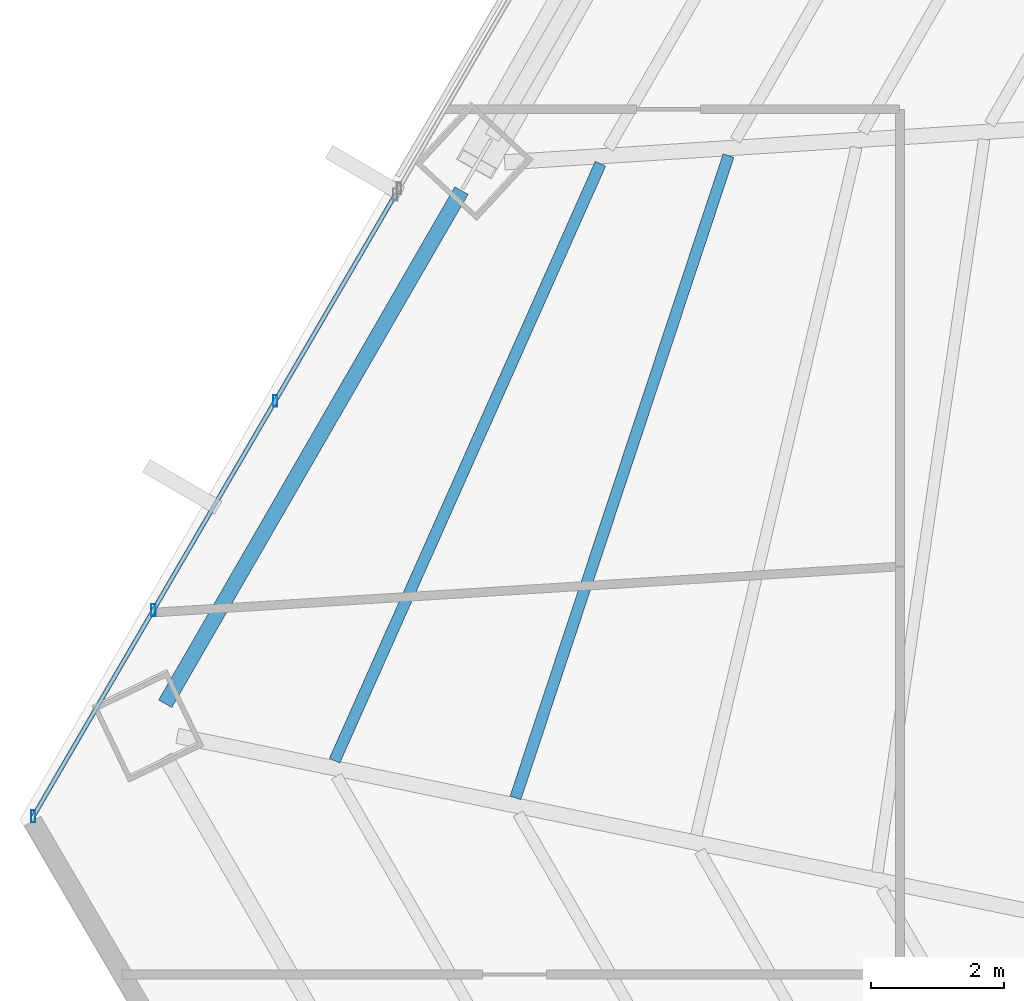
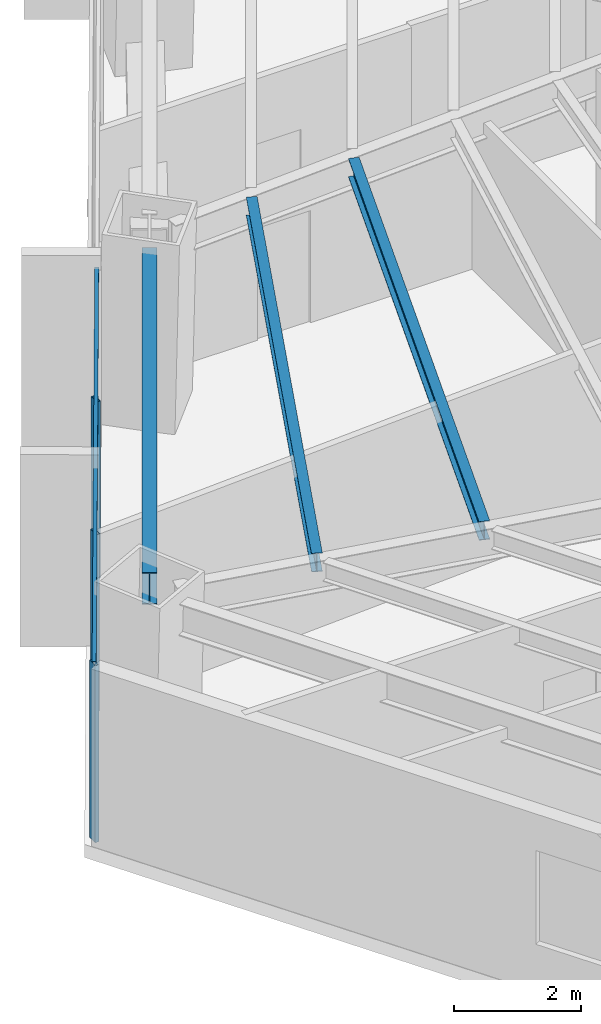
# One storey, part 8 of 29: 5 members, 3 beams, 1 element without a shape of its own.
"""IFC4 building model written with IfcOpenShell, lengths in metres."""

from ifc_helpers import new_model, si_unit, direction, frame, origin, origin_2d, place, context, subcontext, project, spatial, hollow_rectangle, i_section, extrude, source, transform, mapped, material, material_profile, profile_set, type_object, type_shapes, element, aggregate, save


model = new_model("IFC4")

# Units and contexts
model_context = context("Model", 3, precision=1e-05, world=origin(), true_north=direction((0.0, 1.0)))
body_context = subcontext(model_context, "Body", "Model", "MODEL_VIEW")
ifc_project = project(units=[si_unit("LENGTHUNIT", "METRE"), si_unit("AREAUNIT", "SQUARE_METRE"), si_unit("VOLUMEUNIT", "CUBIC_METRE"), si_unit("PLANEANGLEUNIT", "RADIAN"), si_unit("MASSUNIT", "GRAM", prefix="KILO")], contexts=[model_context])

# Site, building, storey
site_placement = place(None, origin())
site = spatial("IfcSite", under=ifc_project, at=site_placement, CompositionType="ELEMENT")
building_placement = place(site_placement, origin())
building = spatial("IfcBuilding", under=site, at=building_placement, Name="Caelisora Broadcast Tower", CompositionType="ELEMENT")
storey_placement = place(building_placement, frame((0.0, 0.0, 31.25)))
storey = spatial("IfcBuildingStorey", under=building, at=storey_placement, Name="L07", CompositionType="ELEMENT", Elevation=31.25)

# Beams
ifc_material_1 = material(Name="Steel Grade 350 (AS/NZS 3679.1)", Category="steel")
ifc_material_profile_1 = material_profile(ifc_material_1, i_section(OverallWidth=0.22900390625, OverallDepth=0.611572265625, WebThickness=0.011962890625, FlangeThickness=0.01953125, at=origin_2d()), Name="Steel Grade 350 (AS/NZS 3679.1)")
ifc_profile_set_1 = profile_set([ifc_material_profile_1], Name="Steel Grade 350 (AS/NZS 3679.1)")
beam_type_1 = type_object("IfcBeamType", Name="PG03", PredefinedType="BEAM", material=ifc_profile_set_1)
shared_shape_1 = source(origin(), body_context, "Body", "SweptSolid", [
    extrude(i_section(OverallWidth=0.22900390625, OverallDepth=0.611572265625, WebThickness=0.011962890625, FlangeThickness=0.01953125, at=origin_2d()), origin(), (0.0, 0.0, 1.0), 8.900390625),
])
type_shapes(beam_type_1, [shared_shape_1])
beam_1_placement = place(storey_placement, frame((18.8125, 28.876953125, 3.09423828125), z_axis=(-0.49999788721, -0.866026623601, 0.0), x_axis=(0.866026623601, -0.49999788721, 0.0)))
element("IfcBeam", 1, at=beam_1_placement, inside=storey, type_object=beam_type_1, Name="L07 beam PG03", PredefinedType="BEAM", context=body_context, shape_type="MappedRepresentation", body=[
    mapped(shared_shape_1, transform((0.0, 0.0, 0.0), scale=1.0)),
])
ifc_material_profile_2 = material_profile(ifc_material_1, i_section(OverallWidth=0.172119140625, OverallDepth=0.358642578125, WebThickness=0.008056640625, FlangeThickness=0.012939453125, at=origin_2d()), Name="Steel Grade 350 (AS/NZS 3679.1)")
ifc_profile_set_2 = profile_set([ifc_material_profile_2], Name="Steel Grade 350 (AS/NZS 3679.1)")
beam_type_2 = type_object("IfcBeamType", Name="SB02", PredefinedType="JOIST", material=ifc_profile_set_2)
shared_shape_2 = source(origin(), body_context, "Body", "SweptSolid", [
    extrude(i_section(OverallWidth=0.172119140625, OverallDepth=0.358642578125, WebThickness=0.008056640625, FlangeThickness=0.012939453125, at=origin_2d()), origin(), (0.0, 0.0, 1.0), 10.166748046875),
])
beam_2_placement = place(storey_placement, frame((22.823974609375, 29.403076171875, 3.220703125), z_axis=(-0.314815428937, -0.949152909548, 0.0), x_axis=(0.949152909548, -0.314815428937, 0.0)))
element("IfcBeam", 2, at=beam_2_placement, inside=storey, type_object=beam_type_2, Name="L07 beam SB02", PredefinedType="JOIST", context=body_context, shape_type="MappedRepresentation", body=[
    mapped(shared_shape_2, transform((0.0, 0.0, 0.0), scale=1.0)),
])
shared_shape_3 = source(origin(), body_context, "Body", "SweptSolid", [
    extrude(i_section(OverallWidth=0.172119140625, OverallDepth=0.358642578125, WebThickness=0.008056640625, FlangeThickness=0.012939453125, at=origin_2d()), origin(), (0.0, 0.0, 1.0), 9.81787109375),
])
type_shapes(beam_type_2, [shared_shape_2, shared_shape_3])
beam_3_placement = place(storey_placement, frame((20.90087890625, 29.28125, 3.220703125), z_axis=(-0.406851285929, -0.913494406736, 0.0), x_axis=(0.913494406736, -0.406851285929, 0.0)))
element("IfcBeam", 3, at=beam_3_placement, inside=storey, type_object=beam_type_2, Name="L07 beam SB02", PredefinedType="JOIST", context=body_context, shape_type="MappedRepresentation", body=[
    mapped(shared_shape_3, transform((0.0, 0.0, 0.0), scale=1.0)),
])

# Curtain wall, members
ifc_material_2 = material(Name="Unitised Aluminium and Low-E Glass Curtain Wall", Category="glass")
curtain_wall_type = type_object("IfcCurtainWallType", Name="CW-Z1", PredefinedType="NOTDEFINED", material=ifc_material_2)
curtain_wall_placement = place(storey_placement, origin())
curtain_wall = element("IfcCurtainWall", 4, at=curtain_wall_placement, inside=storey, type_object=curtain_wall_type, Name="L07 curtain wall CW-Z1", PredefinedType="NOTDEFINED")
ifc_material_3 = material(Name="Aluminium 6063-T6 Anodised Terracotta Bronze", Category="aluminium")
ifc_material_profile_3 = material_profile(ifc_material_3, hollow_rectangle(XDim=0.06494140625, YDim=0.179931640625, WallThickness=0.00341796875, at=origin_2d()), Name="Aluminium 6063-T6 Anodised Terracotta Bronze")
ifc_profile_set_3 = profile_set([ifc_material_profile_3], Name="Aluminium 6063-T6 Anodised Terracotta Bronze")
member_type_1 = type_object("IfcMemberType", Name="CWM-02", PredefinedType="MULLION", material=ifc_profile_set_3)
shared_shape_4 = source(origin(), body_context, "Body", "SweptSolid", [
    extrude(hollow_rectangle(XDim=0.06494140625, YDim=0.179931640625, WallThickness=0.00341796875, at=origin_2d()), origin(), (0.0, 0.0, 1.0), 3.39990234375),
])
type_shapes(member_type_1, [shared_shape_4])
member_1_placement = place(storey_placement, frame((12.380126953125, 19.47509765625, 0.0), z_axis=(0.0, 0.0, 1.0), x_axis=(1.0, 0.0, 0.0)))
member_1 = element("IfcMember", 5, at=member_1_placement, type_object=member_type_1, Name="L07-CW-B09 mullion #0", PredefinedType="MULLION", context=body_context, shape_type="MappedRepresentation", body=[
    mapped(shared_shape_4, transform((0.0, 0.0, 0.0), scale=1.0)),
])
member_2_placement = place(storey_placement, frame((14.184814453125, 22.573974609375, 0.0), z_axis=(0.0, 0.0, 1.0), x_axis=(1.0, 0.0, 0.0)))
member_2 = element("IfcMember", 6, at=member_2_placement, type_object=member_type_1, Name="L07-CW-B09 mullion #1", PredefinedType="MULLION", context=body_context, shape_type="MappedRepresentation", body=[
    mapped(shared_shape_4, transform((0.0, 0.0, 0.0), scale=1.0)),
])
member_3_placement = place(storey_placement, frame((16.0146484375, 25.7158203125, 0.0), z_axis=(0.0, 0.0, 1.0), x_axis=(1.0, 0.0, 0.0)))
member_3 = element("IfcMember", 7, at=member_3_placement, type_object=member_type_1, Name="L07-CW-B09 mullion #2", PredefinedType="MULLION", context=body_context, shape_type="MappedRepresentation", body=[
    mapped(shared_shape_4, transform((0.0, 0.0, 0.0), scale=1.0)),
])
ifc_material_profile_4 = material_profile(ifc_material_3, hollow_rectangle(XDim=0.06494140625, YDim=0.179931640625, WallThickness=0.00341796875, at=origin_2d()), Name="Aluminium 6063-T6 Anodised Terracotta Bronze")
ifc_profile_set_4 = profile_set([ifc_material_profile_4], Name="Aluminium 6063-T6 Anodised Terracotta Bronze")
member_type_2 = type_object("IfcMemberType", Name="CWT-01", PredefinedType="USERDEFINED", material=ifc_profile_set_4)
shared_shape_5 = source(origin(), body_context, "Body", "SweptSolid", [
    extrude(hollow_rectangle(XDim=0.06494140625, YDim=0.179931640625, WallThickness=0.00341796875, at=origin_2d()), origin(), (0.0, 0.0, 1.0), 10.807861328125),
])
type_shapes(member_type_2, [shared_shape_5])
member_4_placement = place(storey_placement, frame((12.380126953125, 19.47509765625, 0.85009765625), z_axis=(0.503266960521, 0.864130989172, 0.0), x_axis=(-0.864130989172, 0.503266960521, 0.0)))
member_4 = element("IfcMember", 8, at=member_4_placement, type_object=member_type_2, Name="L07-CW-B09 transom #1", ObjectType="TRANSOM", PredefinedType="USERDEFINED", context=body_context, shape_type="MappedRepresentation", body=[
    mapped(shared_shape_5, transform((0.0, 0.0, 0.0), scale=1.0)),
])
member_5_placement = place(storey_placement, frame((12.380126953125, 19.47509765625, 3.320068359375), z_axis=(0.503266960521, 0.864130989172, 0.0), x_axis=(-0.864130989172, 0.503266960521, 0.0)))
member_5 = element("IfcMember", 9, at=member_5_placement, type_object=member_type_2, Name="L07-CW-B09 transom #2", ObjectType="TRANSOM", PredefinedType="USERDEFINED", context=body_context, shape_type="MappedRepresentation", body=[
    mapped(shared_shape_5, transform((0.0, 0.0, 0.0), scale=1.0)),
])
aggregate(curtain_wall, [member_1, member_2, member_3, member_4, member_5])

save(model, "model.ifc")
